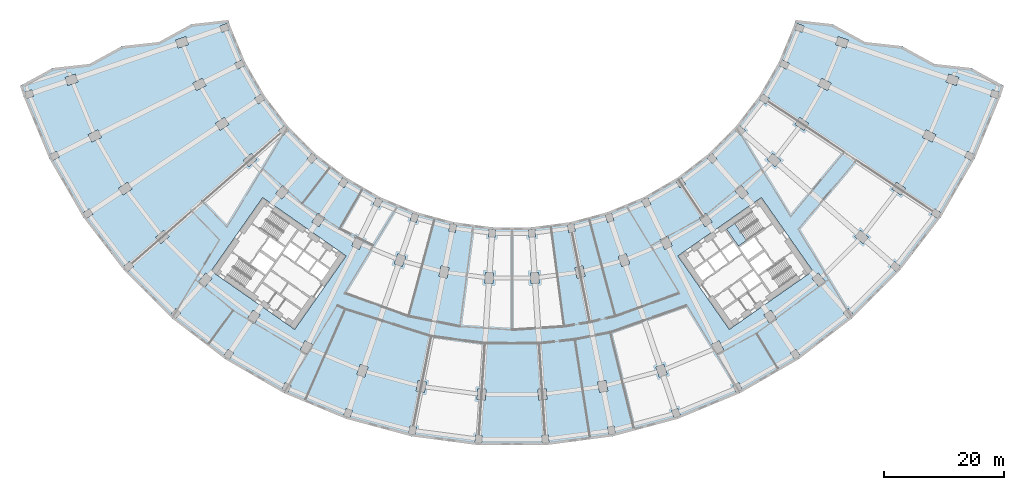
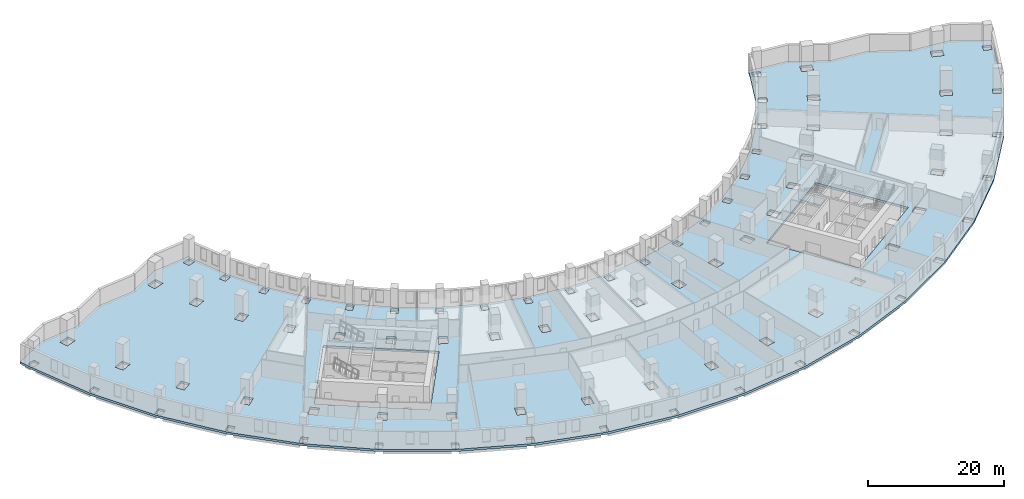
# One storey, part 4 of 20: 2 slabs, 1 element without a shape of its own.
"""IFC4 building model written with IfcOpenShell, lengths in metres."""

import ifcopenshell
import ifcopenshell.guid

model = None  # the IFC model being written
_history = None  # IfcOwnerHistory: only IFC2X3 demands one
_inside = {}  # id of a spatial element -> (the spatial element, [elements in it])
_under = {}  # id of a project, library or spatial element -> (it, [spatial elements below it])
_declared = {}  # id of a project -> (the project, [libraries it declares])
_typed = {}  # id of a type object -> (the type object, [elements of that type])
_made_of = {}  # id of a material, layer set ... -> (it, [elements and type objects made of it])


def new_model(schema):
    """Start an empty IFC model of exactly this schema.

    Asked for "IFC4X3", IfcOpenShell would pick the latest addendum, in which some entities
    have other attributes; the version numbers below select the first issue.
    IFC2X3 requires an IfcOwnerHistory on every rooted entity: one is made here for all.
    """
    global model, _history
    if schema == "IFC4X3":
        model = ifcopenshell.file(schema_version=(4, 3, 0, 0))
    else:
        model = ifcopenshell.file(schema=schema)
    _inside.clear()
    _under.clear()
    _declared.clear()
    _typed.clear()
    _made_of.clear()
    _history = None
    if model.schema == "IFC2X3":
        org = make("IfcOrganization", Name="unknown")
        user = make(
            "IfcPersonAndOrganization",
            ThePerson=make("IfcPerson", FamilyName="unknown"),
            TheOrganization=org,
        )
        app = make(
            "IfcApplication",
            ApplicationDeveloper=org,
            Version="unknown",
            ApplicationFullName="unknown",
            ApplicationIdentifier="unknown",
        )
        _history = make(
            "IfcOwnerHistory",
            OwningUser=user,
            OwningApplication=app,
            ChangeAction="ADDED",
            CreationDate=0,
        )
    return model


def make(cls, **values):
    """One entity of the class cls with the attributes given. An attribute that is None is left unset."""
    return model.create_entity(
        cls, **{name: value for name, value in values.items() if value is not None}
    )


def rooted(cls, **values):
    """An entity with a GlobalId (a new one), such as an element, a storey or a relation."""
    return make(cls, GlobalId=ifcopenshell.guid.new(), OwnerHistory=_history, **values)


def si_unit(unit_type, name, prefix=None):
    """IfcSIUnit, for example si_unit("LENGTHUNIT", "METRE", prefix="MILLI")."""
    return make("IfcSIUnit", UnitType=unit_type, Prefix=prefix, Name=name)


def assignment(units):
    """IfcUnitAssignment: the units of a project."""
    return None if units is None else make("IfcUnitAssignment", Units=units)


def point(xyz):
    """IfcCartesianPoint."""
    return None if xyz is None else make("IfcCartesianPoint", Coordinates=xyz)


def direction(xyz):
    """IfcDirection."""
    return None if xyz is None else make("IfcDirection", DirectionRatios=xyz)


def frame(location, z_axis=None, x_axis=None):
    """IfcAxis2Placement3D, a coordinate frame: its origin and axes. An axis left out is left unset."""
    return make(
        "IfcAxis2Placement3D",
        Location=point(location),
        Axis=direction(z_axis),
        RefDirection=direction(x_axis),
    )


def origin():
    """The frame at (0, 0, 0) with its axes left unset."""
    return frame((0.0, 0.0, 0.0))


def place(relative_to, where):
    """IfcLocalPlacement: puts the frame where relative to a parent placement (None: the world)."""
    return make(
        "IfcLocalPlacement", PlacementRelTo=relative_to, RelativePlacement=where
    )


def context(
    kind, dimensions, precision=None, world=None, true_north=None, identifier=None
):
    """IfcGeometricRepresentationContext, for example the 3D "Model" context."""
    return make(
        "IfcGeometricRepresentationContext",
        ContextIdentifier=identifier,
        ContextType=kind,
        CoordinateSpaceDimension=dimensions,
        Precision=precision,
        WorldCoordinateSystem=world,
        TrueNorth=true_north,
    )


def subcontext(parent, identifier, kind, view, scale=None):
    """IfcGeometricRepresentationSubContext, for example "Body" below "Model"."""
    return make(
        "IfcGeometricRepresentationSubContext",
        ContextIdentifier=identifier,
        ContextType=kind,
        ParentContext=parent,
        TargetScale=scale,
        TargetView=view,
    )


def project(units=None, contexts=None):
    """IfcProject with its units and contexts."""
    return rooted(
        "IfcProject",
        Name="project",
        RepresentationContexts=contexts,
        UnitsInContext=assignment(units),
    )


def spatial(cls, under=None, at=None, **own):
    """A site, building, storey or space (cls), placed at a placement, below another one or the project."""
    s = rooted(cls, ObjectPlacement=at, **own)
    if under is not None:
        _under.setdefault(under.id(), (under, []))[1].append(s)
    return s


def polyline(points):
    """IfcPolyline through the points."""
    return make("IfcPolyline", Points=[point(p) for p in points])


def outline(outer, holes=None, kind="AREA"):
    """IfcArbitraryClosedProfileDef: a profile drawn as a closed curve; with holes, ...WithVoids."""
    if holes is None:
        return make("IfcArbitraryClosedProfileDef", ProfileType=kind, OuterCurve=outer)
    return make(
        "IfcArbitraryProfileDefWithVoids",
        ProfileType=kind,
        OuterCurve=outer,
        InnerCurves=holes,
    )


def extrude(swept, where, along, depth):
    """IfcExtrudedAreaSolid: the profile swept, set in the frame where, extruded along a direction by depth."""
    return make(
        "IfcExtrudedAreaSolid",
        SweptArea=swept,
        Position=where,
        ExtrudedDirection=direction(along),
        Depth=depth,
    )


def shape(context_of_items, identifier, shape_type, items):
    """IfcShapeRepresentation: the items that make up one representation, for example the "Body"."""
    return make(
        "IfcShapeRepresentation",
        ContextOfItems=context_of_items,
        RepresentationIdentifier=identifier,
        RepresentationType=shape_type,
        Items=items,
    )


def material(Name=None, Category=None):
    """IfcMaterial."""
    return make("IfcMaterial", Name=Name, Category=Category)


def layer(
    of_material, thickness, ventilated=None, Name=None, Category=None, Priority=None
):
    """IfcMaterialLayer: one layer of a wall or slab, of a material (None: an air gap)."""
    return make(
        "IfcMaterialLayer",
        Material=of_material,
        LayerThickness=thickness,
        IsVentilated=ventilated,
        Name=Name,
        Category=Category,
        Priority=Priority,
    )


def layer_set(layers, Name=None):
    """IfcMaterialLayerSet."""
    return make("IfcMaterialLayerSet", MaterialLayers=layers, LayerSetName=Name)


def made_of(thing, what):
    """Note that an element or type object is made of a material, layer set ...; save() writes the relation."""
    if what is not None:
        _made_of.setdefault(what.id(), (what, []))[1].append(thing)
    return thing


def type_object(cls, material=None, **own):
    """A type object (cls), such as IfcWallType, which elements share."""
    return made_of(rooted(cls, **own), material)


def element(
    cls,
    number,
    at=None,
    inside=None,
    cuts=None,
    type_object=None,
    material=None,
    context=None,
    identifier="Body",
    shape_type=None,
    held_by="IfcProductDefinitionShape",
    body=None,
    shapes=None,
    **own,
):
    """One element of the class cls, such as IfcWall. Its Tag is "e" and its number.

    at: its placement. inside: the storey or other place that contains it. cuts: it is an
    opening in that element (IfcRelVoidsElement). A single representation is given by context,
    identifier, shape_type and body (its items); several are given by shapes. held_by: the class
    of the entity that holds the representations. save() writes the other relations.
    """
    e = rooted(cls, Tag="e%d" % number, ObjectPlacement=at, **own)
    if body is not None:
        shapes = [shape(context, identifier, shape_type, body)]
    if shapes is not None:
        e.Representation = make(held_by, Representations=shapes)
    if inside is not None:
        _inside.setdefault(inside.id(), (inside, []))[1].append(e)
    if cuts is not None:
        rooted(
            "IfcRelVoidsElement", RelatingBuildingElement=cuts, RelatedOpeningElement=e
        )
    if type_object is not None:
        _typed.setdefault(type_object.id(), (type_object, []))[1].append(e)
    return made_of(e, material)


def aggregate(whole, parts):
    """IfcRelAggregates: a whole, such as a stair, and the parts it consists of."""
    return rooted("IfcRelAggregates", RelatingObject=whole, RelatedObjects=parts)


def save(model, path):
    """Write the relations noted so far, then the file.

    IfcRelAggregates (storeys below a building ...), IfcRelContainedInSpatialStructure (elements
    in a storey), IfcRelDefinesByType, IfcRelAssociatesMaterial and IfcRelDeclares: one each for
    every whole, place, type object, material and project.
    """
    for whole, parts in _under.values():
        aggregate(whole, parts)
    for where, things in _inside.values():
        rooted(
            "IfcRelContainedInSpatialStructure",
            RelatedElements=things,
            RelatingStructure=where,
        )
    for kind, things in _typed.values():
        rooted("IfcRelDefinesByType", RelatedObjects=things, RelatingType=kind)
    for what, things in _made_of.values():
        rooted("IfcRelAssociatesMaterial", RelatedObjects=things, RelatingMaterial=what)
    for by, libraries in _declared.values():
        rooted("IfcRelDeclares", RelatingContext=by, RelatedDefinitions=libraries)
    model.write(path)


model = new_model("IFC4")

# Units and contexts
model_context = context("Model", 3, precision=1e-05, world=origin(), true_north=direction((0.0, 1.0)))
body_context = subcontext(model_context, "Body", "Model", "MODEL_VIEW")
ifc_project = project(units=[si_unit("LENGTHUNIT", "METRE"), si_unit("AREAUNIT", "SQUARE_METRE"), si_unit("VOLUMEUNIT", "CUBIC_METRE"), si_unit("PLANEANGLEUNIT", "RADIAN"), si_unit("MASSUNIT", "GRAM", prefix="KILO")], contexts=[model_context])

# Site, building, storey
site_placement = place(None, origin())
site = spatial("IfcSite", under=ifc_project, at=site_placement, CompositionType="ELEMENT")
building_placement = place(site_placement, origin())
building = spatial("IfcBuilding", under=site, at=building_placement, Name="Qamariyya Broadcast Tower", CompositionType="ELEMENT")
storey_placement = place(building_placement, frame((0.0, 0.0, 27.0)))
storey = spatial("IfcBuildingStorey", under=building, at=storey_placement, Name="L03", CompositionType="ELEMENT", Elevation=27.0)

# Slab
ifc_material_1 = material(Name="Concrete C40/50", Category="concrete")
ifc_layer_1 = layer(ifc_material_1, 0.39990234375)
ifc_layer_set_1 = layer_set([ifc_layer_1], Name="Post-tensioned floor slab 400 C40/50")
slab_type_1 = type_object("IfcSlabType", Name="Post-tensioned floor slab 400 C40/50", PredefinedType="FLOOR", material=ifc_layer_set_1)
slab_1_placement = place(storey_placement, frame((0.0, 0.0, -0.39990234375)))
element("IfcSlab", 1, at=slab_1_placement, inside=storey, type_object=slab_type_1, Name="Floor slab S3 L03", PredefinedType="FLOOR", context=body_context, shape_type="SweptSolid", body=[
    extrude(outline(polyline([(-76.78857421875, -23.0263671875), (-82.2353515625, -26.007568359375), (-81.672607421875, -27.72412109375), (-77.355224609375, -38.1474609375), (-71.71435546875, -47.91796875), (-64.84619140625, -56.86865234375), (-56.86865234375, -64.84619140625), (-47.91796875, -71.71435546875), (-38.1474609375, -77.355224609375), (-27.72412109375, -81.672607421875), (-16.82666015625, -84.5927734375), (-5.64111328125, -86.0654296875), (5.64111328125, -86.0654296875), (16.82666015625, -84.5927734375), (27.72412109375, -81.672607421875), (38.1474609375, -77.355224609375), (47.91796875, -71.71435546875), (56.86865234375, -64.84619140625), (64.84619140625, -56.86865234375), (71.71435546875, -47.91796875), (77.355224609375, -38.1474609375), (81.672607421875, -27.72412109375), (82.2353515625, -26.007568359375), (76.78857421875, -23.0263671875), (70.635009765625, -22.3388671875), (65.1865234375, -19.357421875), (59.03466796875, -18.670166015625), (53.583984375, -15.68798828125), (47.434326171875, -15.00146484375), (47.10986328125, -15.99169921875), (44.619384765625, -22.00390625), (41.36572265625, -27.6396484375), (37.404052734375, -32.802490234375), (32.802490234375, -37.404052734375), (27.6396484375, -41.36572265625), (22.00390625, -44.619384765625), (15.99169921875, -47.10986328125), (9.705810546875, -48.794189453125), (3.25390625, -49.6435546875), (-3.25390625, -49.6435546875), (-9.705810546875, -48.794189453125), (-15.99169921875, -47.10986328125), (-22.00390625, -44.619384765625), (-27.6396484375, -41.36572265625), (-32.802490234375, -37.404052734375), (-37.404052734375, -32.802490234375), (-41.36572265625, -27.6396484375), (-44.619384765625, -22.00390625), (-47.10986328125, -15.99169921875), (-47.434326171875, -15.00146484375), (-53.583984375, -15.68798828125), (-59.03466796875, -18.670166015625), (-65.1865234375, -19.357421875), (-70.635009765625, -22.3388671875), (-76.78857421875, -23.0263671875)]), holes=[polyline([(-27.714599609375, -79.93359375), (-26.6728515625, -80.287109375), (-27.0908203125, -81.51806640625), (-28.132568359375, -81.16455078125), (-27.714599609375, -79.93359375)]), polyline([(-37.910888671875, -75.632080078125), (-36.92431640625, -76.11865234375), (-37.499267578125, -77.28466796875), (-38.48583984375, -76.798095703125), (-37.910888671875, -75.632080078125)]), polyline([(-47.45849609375, -70.036865234375), (-46.5439453125, -70.64794921875), (-47.26611328125, -71.728759765625), (-48.180908203125, -71.11767578125), (-47.45849609375, -70.036865234375)]), polyline([(-33.362060546875, -69.234375), (-34.158203125, -70.8486328125), (-35.413818359375, -70.2294921875), (-34.61767578125, -68.614990234375), (-33.362060546875, -69.234375)]), polyline([(-42.113525390625, -64.287353515625), (-43.113525390625, -65.783935546875), (-44.277587890625, -65.006103515625), (-43.277587890625, -63.509521484375), (-42.113525390625, -64.287353515625)]), polyline([(-56.194091796875, -63.242919921875), (-55.3671875, -63.96826171875), (-56.224365234375, -64.94580078125), (-57.05126953125, -64.220458984375), (-56.194091796875, -63.242919921875)]), polyline([(-51.197021484375, -57.3173828125), (-50.14453125, -58.240478515625), (-51.331298828125, -59.59375), (-52.3837890625, -58.670654296875), (-51.197021484375, -57.3173828125)]), polyline([(-63.96826171875, -55.3671875), (-63.242919921875, -56.194091796875), (-64.220458984375, -57.05126953125), (-64.94580078125, -56.224365234375), (-63.96826171875, -55.3671875)]), polyline([(-27.719970703125, -54.447021484375), (-36.32373046875, -66.734375), (-50.286376953125, -56.95751953125), (-41.6826171875, -44.67041015625), (-27.719970703125, -54.447021484375)]), polyline([(-57.3173828125, -51.197021484375), (-58.670654296875, -52.3837890625), (-59.59375, -51.331298828125), (-58.240478515625, -50.14453125), (-57.3173828125, -51.197021484375)]), polyline([(-32.444091796875, -47.2958984375), (-31.280029296875, -48.07373046875), (-32.280029296875, -49.5703125), (-33.444091796875, -48.79248046875), (-32.444091796875, -47.2958984375)]), polyline([(-70.64794921875, -46.5439453125), (-70.036865234375, -47.45849609375), (-71.11767578125, -48.180908203125), (-71.728759765625, -47.26611328125), (-70.64794921875, -46.5439453125)]), polyline([(-38.33984375, -42.656494140625), (-37.287109375, -43.57958984375), (-38.47412109375, -44.932861328125), (-39.526611328125, -44.009765625), (-38.33984375, -42.656494140625)]), polyline([(-63.509521484375, -43.277587890625), (-65.006103515625, -44.277587890625), (-65.783935546875, -43.113525390625), (-64.287353515625, -42.113525390625), (-63.509521484375, -43.277587890625)]), polyline([(-27.376708984375, -41.962158203125), (-28.09912109375, -43.043212890625), (-29.013671875, -42.431884765625), (-28.291259765625, -41.35107421875), (-27.376708984375, -41.962158203125)]), polyline([(-43.57958984375, -37.287109375), (-42.656494140625, -38.33984375), (-44.009765625, -39.526611328125), (-44.932861328125, -38.47412109375), (-43.57958984375, -37.287109375)]), polyline([(-33.44677734375, -37.304443359375), (-32.61962890625, -38.02978515625), (-33.476806640625, -39.00732421875), (-34.303955078125, -38.281982421875), (-33.44677734375, -37.304443359375)]), polyline([(-76.11865234375, -36.92431640625), (-75.632080078125, -37.910888671875), (-76.798095703125, -38.48583984375), (-77.28466796875, -37.499267578125), (-76.11865234375, -36.92431640625)]), polyline([(-68.614990234375, -34.61767578125), (-70.2294921875, -35.413818359375), (-70.8486328125, -34.158203125), (-69.234375, -33.362060546875), (-68.614990234375, -34.61767578125)]), polyline([(-37.304443359375, -33.44677734375), (-38.281982421875, -34.303955078125), (-39.00732421875, -33.476806640625), (-38.02978515625, -32.61962890625), (-37.304443359375, -33.44677734375)]), polyline([(-48.07373046875, -31.280029296875), (-47.2958984375, -32.444091796875), (-48.79248046875, -33.444091796875), (-49.5703125, -32.280029296875), (-48.07373046875, -31.280029296875)]), polyline([(-41.962158203125, -27.376708984375), (-41.35107421875, -28.291259765625), (-42.431884765625, -29.013671875), (-43.043212890625, -28.09912109375), (-41.962158203125, -27.376708984375)]), polyline([(-80.287109375, -26.6728515625), (-79.93359375, -27.714599609375), (-81.16455078125, -28.132568359375), (-81.51806640625, -27.0908203125), (-80.287109375, -26.6728515625)]), polyline([(-51.1259765625, -25.9931640625), (-52.740478515625, -26.789306640625), (-53.359619140625, -25.533447265625), (-51.745361328125, -24.737548828125), (-51.1259765625, -25.9931640625)]), polyline([(-72.546630859375, -25.365478515625), (-74.2509765625, -25.944091796875), (-74.701171875, -24.618408203125), (-72.99658203125, -24.039794921875), (-72.546630859375, -25.365478515625)]), polyline([(-45.176513671875, -21.665283203125), (-44.690185546875, -22.65185546875), (-45.85595703125, -23.226806640625), (-46.342529296875, -22.240478515625), (-45.176513671875, -21.665283203125)]), polyline([(-54.531494140625, -17.771728515625), (-54.08154296875, -19.097412109375), (-55.785888671875, -19.676025390625), (-56.23583984375, -18.350341796875), (-54.531494140625, -17.771728515625)]), polyline([(-47.617919921875, -15.583251953125), (-47.264404296875, -16.625), (-48.495361328125, -17.042724609375), (-48.84912109375, -16.001220703125), (-47.617919921875, -15.583251953125)]), polyline([(6.08203125, -84.3828125), (6.1669921875, -85.68017578125), (5.0693359375, -85.751953125), (4.984375, -84.454833984375), (6.08203125, -84.3828125)]), polyline([(-4.984375, -84.454833984375), (-5.0693359375, -85.751953125), (-6.1669921875, -85.68017578125), (-6.08203125, -84.3828125), (-4.984375, -84.454833984375)]), polyline([(-17.044189453125, -82.8671875), (-15.965087890625, -83.081787109375), (-16.21875, -84.356689453125), (-17.297607421875, -84.14208984375), (-17.044189453125, -82.8671875)]), polyline([(15.965087890625, -83.081787109375), (17.044189453125, -82.8671875), (17.297607421875, -84.14208984375), (16.21875, -84.356689453125), (15.965087890625, -83.081787109375)]), polyline([(26.6728515625, -80.287109375), (27.714599609375, -79.93359375), (28.132568359375, -81.16455078125), (27.0908203125, -81.51806640625), (26.6728515625, -80.287109375)]), polyline([(-4.32763671875, -76.731201171875), (-4.445556640625, -78.52734375), (-5.842529296875, -78.435791015625), (-5.724853515625, -76.6396484375), (-4.32763671875, -76.731201171875)]), polyline([(5.724853515625, -76.6396484375), (5.842529296875, -78.435791015625), (4.445556640625, -78.52734375), (4.32763671875, -76.731201171875), (5.724853515625, -76.6396484375)]), polyline([(-15.67919921875, -75.23681640625), (-14.30615234375, -75.510009765625), (-14.6572265625, -77.275390625), (-16.030517578125, -77.002197265625), (-15.67919921875, -75.23681640625)]), polyline([(15.67919921875, -75.23681640625), (16.030517578125, -77.002197265625), (14.6572265625, -77.275390625), (14.30615234375, -75.510009765625), (15.67919921875, -75.23681640625)]), polyline([(-24.039794921875, -72.99658203125), (-24.618408203125, -74.701171875), (-25.944091796875, -74.2509765625), (-25.365478515625, -72.546630859375), (-24.039794921875, -72.99658203125)]), polyline([(24.039794921875, -72.99658203125), (25.365478515625, -72.546630859375), (25.944091796875, -74.2509765625), (24.618408203125, -74.701171875), (24.039794921875, -72.99658203125)]), polyline([(4.449462890625, -57.181396484375), (4.567138671875, -58.9775390625), (3.170166015625, -59.069091796875), (3.05224609375, -57.27294921875), (4.449462890625, -57.181396484375)]), polyline([(-3.05224609375, -57.27294921875), (-3.170166015625, -59.069091796875), (-4.567138671875, -58.9775390625), (-4.449462890625, -57.181396484375), (-3.05224609375, -57.27294921875)]), polyline([(10.501953125, -56.384521484375), (11.875, -56.111572265625), (12.22607421875, -57.876953125), (10.85302734375, -58.14990234375), (10.501953125, -56.384521484375)]), polyline([(-11.875, -56.111572265625), (-10.501953125, -56.384521484375), (-10.85302734375, -58.14990234375), (-12.22607421875, -57.876953125), (-11.875, -56.111572265625)]), polyline([(17.771728515625, -54.531494140625), (19.097412109375, -54.08154296875), (19.676025390625, -55.785888671875), (18.350341796875, -56.23583984375), (17.771728515625, -54.531494140625)]), polyline([(-17.771728515625, -54.531494140625), (-18.350341796875, -56.23583984375), (-19.676025390625, -55.785888671875), (-19.097412109375, -54.08154296875), (-17.771728515625, -54.531494140625)]), polyline([(-24.737548828125, -51.745361328125), (-25.533447265625, -53.359619140625), (-26.789306640625, -52.740478515625), (-25.9931640625, -51.1259765625), (-24.737548828125, -51.745361328125)]), polyline([(24.737548828125, -51.745361328125), (25.9931640625, -51.1259765625), (26.789306640625, -52.740478515625), (25.533447265625, -53.359619140625), (24.737548828125, -51.745361328125)]), polyline([(-3.825439453125, -49.956787109375), (-2.727783203125, -50.02880859375), (-2.81298828125, -51.325927734375), (-3.91064453125, -51.25390625), (-3.825439453125, -49.956787109375)]), polyline([(2.727783203125, -50.02880859375), (3.825439453125, -49.956787109375), (3.91064453125, -51.25390625), (2.81298828125, -51.325927734375), (2.727783203125, -50.02880859375)]), polyline([(-9.234619140625, -49.24462890625), (-9.48828125, -50.519775390625), (-10.567138671875, -50.30517578125), (-10.3134765625, -49.030029296875), (-9.234619140625, -49.24462890625)]), polyline([(10.3134765625, -49.030029296875), (10.567138671875, -50.30517578125), (9.48828125, -50.519775390625), (9.234619140625, -49.24462890625), (10.3134765625, -49.030029296875)]), polyline([(15.583251953125, -47.617919921875), (16.625, -47.264404296875), (17.042724609375, -48.495361328125), (16.001220703125, -48.84912109375), (15.583251953125, -47.617919921875)]), polyline([(-16.625, -47.264404296875), (-15.583251953125, -47.617919921875), (-16.001220703125, -48.84912109375), (-17.042724609375, -48.495361328125), (-16.625, -47.264404296875)]), polyline([(21.665283203125, -45.176513671875), (22.65185546875, -44.690185546875), (23.226806640625, -45.85595703125), (22.240478515625, -46.342529296875), (21.665283203125, -45.176513671875)]), polyline([(-21.665283203125, -45.176513671875), (-22.240478515625, -46.342529296875), (-23.226806640625, -45.85595703125), (-22.65185546875, -44.690185546875), (-21.665283203125, -45.176513671875)]), polyline([(28.291259765625, -41.35107421875), (29.013671875, -42.431884765625), (28.09912109375, -43.043212890625), (27.376708984375, -41.962158203125), (28.291259765625, -41.35107421875)]), polyline([(36.92431640625, -76.11865234375), (37.910888671875, -75.632080078125), (38.48583984375, -76.798095703125), (37.499267578125, -77.28466796875), (36.92431640625, -76.11865234375)]), polyline([(46.5439453125, -70.64794921875), (47.45849609375, -70.036865234375), (48.180908203125, -71.11767578125), (47.26611328125, -71.728759765625), (46.5439453125, -70.64794921875)]), polyline([(33.362060546875, -69.234375), (34.61767578125, -68.614990234375), (35.413818359375, -70.2294921875), (34.158203125, -70.8486328125), (33.362060546875, -69.234375)]), polyline([(43.277587890625, -63.509521484375), (44.277587890625, -65.006103515625), (43.113525390625, -65.783935546875), (42.113525390625, -64.287353515625), (43.277587890625, -63.509521484375)]), polyline([(56.194091796875, -63.242919921875), (57.05126953125, -64.220458984375), (56.224365234375, -64.94580078125), (55.3671875, -63.96826171875), (56.194091796875, -63.242919921875)]), polyline([(50.14453125, -58.240478515625), (51.197021484375, -57.3173828125), (52.3837890625, -58.670654296875), (51.331298828125, -59.59375), (50.14453125, -58.240478515625)]), polyline([(63.242919921875, -56.194091796875), (63.96826171875, -55.3671875), (64.94580078125, -56.224365234375), (64.220458984375, -57.05126953125), (63.242919921875, -56.194091796875)]), polyline([(27.719970703125, -54.447021484375), (41.6826171875, -44.67041015625), (50.286376953125, -56.95751953125), (36.32373046875, -66.734375), (27.719970703125, -54.447021484375)]), polyline([(58.240478515625, -50.14453125), (59.59375, -51.331298828125), (58.670654296875, -52.3837890625), (57.3173828125, -51.197021484375), (58.240478515625, -50.14453125)]), polyline([(32.444091796875, -47.2958984375), (33.444091796875, -48.79248046875), (32.280029296875, -49.5703125), (31.280029296875, -48.07373046875), (32.444091796875, -47.2958984375)]), polyline([(70.036865234375, -47.45849609375), (70.64794921875, -46.5439453125), (71.728759765625, -47.26611328125), (71.11767578125, -48.180908203125), (70.036865234375, -47.45849609375)]), polyline([(37.287109375, -43.57958984375), (38.33984375, -42.656494140625), (39.526611328125, -44.009765625), (38.47412109375, -44.932861328125), (37.287109375, -43.57958984375)]), polyline([(63.509521484375, -43.277587890625), (64.287353515625, -42.113525390625), (65.783935546875, -43.113525390625), (65.006103515625, -44.277587890625), (63.509521484375, -43.277587890625)]), polyline([(43.57958984375, -37.287109375), (44.932861328125, -38.47412109375), (44.009765625, -39.526611328125), (42.656494140625, -38.33984375), (43.57958984375, -37.287109375)]), polyline([(33.44677734375, -37.304443359375), (34.303955078125, -38.281982421875), (33.476806640625, -39.00732421875), (32.61962890625, -38.02978515625), (33.44677734375, -37.304443359375)]), polyline([(75.632080078125, -37.910888671875), (76.11865234375, -36.92431640625), (77.28466796875, -37.499267578125), (76.798095703125, -38.48583984375), (75.632080078125, -37.910888671875)]), polyline([(68.614990234375, -34.61767578125), (69.234375, -33.362060546875), (70.8486328125, -34.158203125), (70.2294921875, -35.413818359375), (68.614990234375, -34.61767578125)]), polyline([(37.304443359375, -33.44677734375), (38.02978515625, -32.61962890625), (39.00732421875, -33.476806640625), (38.281982421875, -34.303955078125), (37.304443359375, -33.44677734375)]), polyline([(48.07373046875, -31.280029296875), (49.5703125, -32.280029296875), (48.79248046875, -33.444091796875), (47.2958984375, -32.444091796875), (48.07373046875, -31.280029296875)]), polyline([(41.962158203125, -27.376708984375), (43.043212890625, -28.09912109375), (42.431884765625, -29.013671875), (41.35107421875, -28.291259765625), (41.962158203125, -27.376708984375)]), polyline([(79.93359375, -27.714599609375), (80.287109375, -26.6728515625), (81.51806640625, -27.0908203125), (81.16455078125, -28.132568359375), (79.93359375, -27.714599609375)]), polyline([(51.745361328125, -24.737548828125), (53.359619140625, -25.533447265625), (52.740478515625, -26.789306640625), (51.1259765625, -25.9931640625), (51.745361328125, -24.737548828125)]), polyline([(72.99658203125, -24.039794921875), (74.701171875, -24.618408203125), (74.2509765625, -25.944091796875), (72.546630859375, -25.365478515625), (72.99658203125, -24.039794921875)]), polyline([(44.690185546875, -22.65185546875), (45.176513671875, -21.665283203125), (46.342529296875, -22.240478515625), (45.85595703125, -23.226806640625), (44.690185546875, -22.65185546875)]), polyline([(54.531494140625, -17.771728515625), (56.23583984375, -18.350341796875), (55.785888671875, -19.676025390625), (54.08154296875, -19.097412109375), (54.531494140625, -17.771728515625)]), polyline([(47.617919921875, -15.583251953125), (48.84912109375, -16.001220703125), (48.495361328125, -17.042724609375), (47.264404296875, -16.625), (47.617919921875, -15.583251953125)])]), origin(), (0.0, 0.0, 1.0), 0.39990234375),
])

# Stair, slab
ifc_material_2 = material(Name="Concrete C50/60", Category="concrete")
stair_type = type_object("IfcStairType", Name="Exit stair 26 risers of 173 mm", PredefinedType="HALF_TURN_STAIR", material=ifc_material_2)
stair_placement = place(storey_placement, origin())
stair = element("IfcStair", 2, at=stair_placement, inside=storey, type_object=stair_type, Name="L03 Stair E2", PredefinedType="HALF_TURN_STAIR")
ifc_layer_2 = layer(ifc_material_2, 0.199951171875)
ifc_layer_set_2 = layer_set([ifc_layer_2], Name="Stair landing")
slab_type_2 = type_object("IfcSlabType", Name="Stair landing", PredefinedType="LANDING", material=ifc_layer_set_2)
slab_2_placement = place(storey_placement, frame((0.0, 0.0, 2.050048828125)))
slab_2 = element("IfcSlab", 3, at=slab_2_placement, type_object=slab_type_2, Name="ST-E2 landing 1", PredefinedType="LANDING", context=body_context, shape_type="SweptSolid", body=[
    extrude(outline(polyline([(37.23828125, -49.003173828125), (35.870849609375, -49.960693359375), (37.849609375, -52.78662109375), (39.217041015625, -51.829345703125), (37.23828125, -49.003173828125)])), origin(), (0.0, 0.0, 1.0), 0.199951171875),
])
aggregate(stair, [slab_2])

save(model, "model.ifc")
